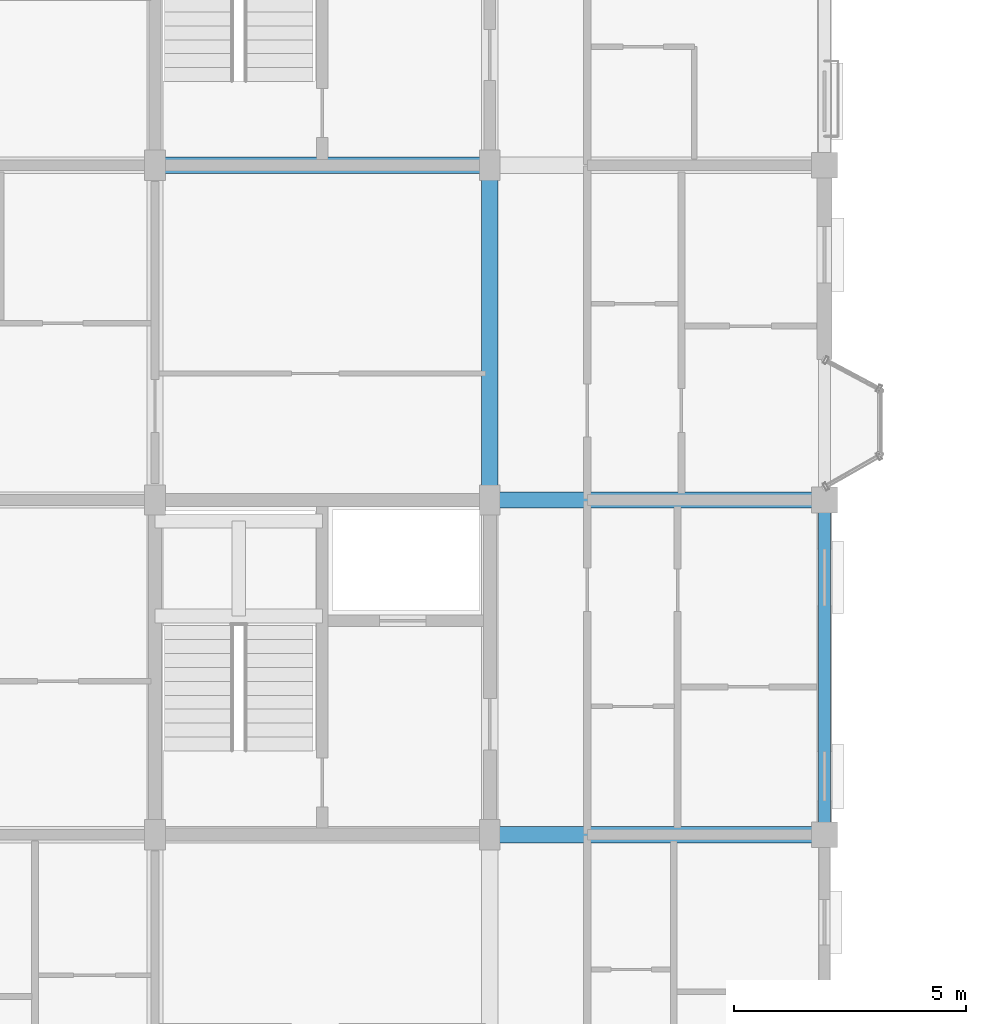
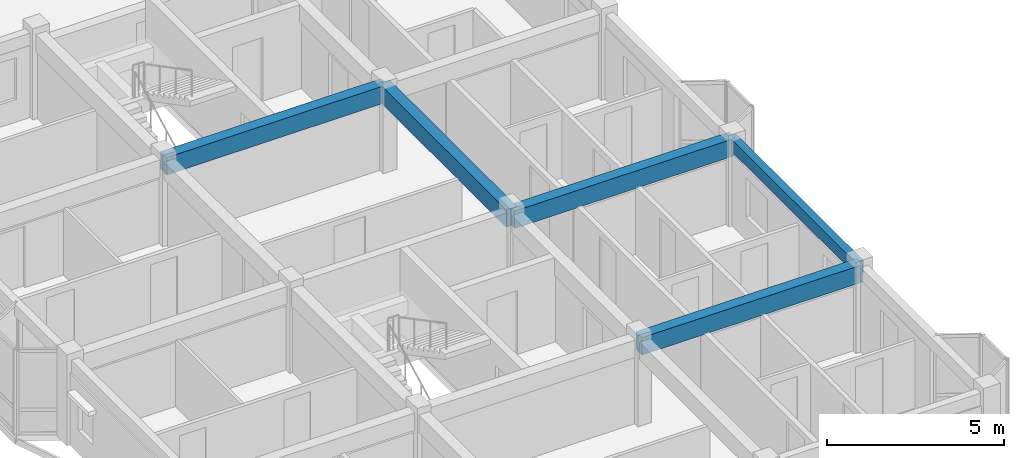
# One storey, part 18 of 75: 5 beams.
"""IFC4 building model written with IfcOpenShell, lengths in metres."""

from ifc_helpers import new_model, si_unit, direction, frame, origin, origin_2d, place, context, subcontext, project, spatial, rectangle, extrude, material, material_profile, profile_set, type_object, element, save


model = new_model("IFC4")

# Units and contexts
model_context = context("Model", 3, precision=1e-05, world=origin(), true_north=direction((0.0, 1.0)))
body_context = subcontext(model_context, "Body", "Model", "MODEL_VIEW")
ifc_project = project(units=[si_unit("LENGTHUNIT", "METRE"), si_unit("AREAUNIT", "SQUARE_METRE"), si_unit("VOLUMEUNIT", "CUBIC_METRE"), si_unit("PLANEANGLEUNIT", "RADIAN"), si_unit("MASSUNIT", "GRAM", prefix="KILO"), si_unit("THERMODYNAMICTEMPERATUREUNIT", "KELVIN"), si_unit("POWERUNIT", "WATT")], contexts=[model_context])

# Site, building, storey
site_placement = place(None, origin())
site = spatial("IfcSite", under=ifc_project, at=site_placement, CompositionType="ELEMENT")
building_placement = place(site_placement, origin())
building = spatial("IfcBuilding", under=site, at=building_placement, Name="Tavuni Mirador Residences", CompositionType="ELEMENT")
storey_placement = place(building_placement, frame((0.0, 0.0, 20.25)))
storey = spatial("IfcBuildingStorey", under=building, at=storey_placement, Name="L06", CompositionType="ELEMENT", Elevation=20.25)

# Beams
ifc_material = material(Name="Precast concrete C40/50", Category="concrete")
ifc_material_profile_1 = material_profile(ifc_material, rectangle(XDim=0.35009765625, YDim=0.60009765625, at=origin_2d()), Name="PC 350x600", Category="concrete")
ifc_profile_set_1 = profile_set([ifc_material_profile_1], Name="Precast concrete C40/50")
beam_type_1 = type_object("IfcBeamType", Name="BT-B600", PredefinedType="BEAM", material=ifc_profile_set_1)
for number, where, z_axis, x_axis, name in (
    (1, (18.0, 72.0, 2.610107421875), (1.0, 0.0, 0.0), (0.0, 1.0, 0.0), "BMX-BLK-B-L06-02-01"),
    (2, (18.0, 79.199951171875, 2.610107421875), (1.0, 0.0, 0.0), (0.0, 1.0, 0.0), "BMX-BLK-B-L06-02-02"),
    (3, (10.800048828125, 86.39990234375, 2.610107421875), (1.0, 0.0, 0.0), (0.0, 1.0, 0.0), "BMX-BLK-B-L06-01-03"),
    (4, (18.0, 79.199951171875, 2.610107421875), (0.0, 1.0, 0.0), (-1.0, 0.0, 0.0), "BMY-BLK-B-L06-02-02"),
):
    element("IfcBeam", number, at=place(storey_placement, frame(where, z_axis=z_axis, x_axis=x_axis)), inside=storey, type_object=beam_type_1, Name=name, PredefinedType="BEAM", context=body_context, shape_type="SweptSolid", body=[
        extrude(rectangle(XDim=0.35009765625, YDim=0.60009765625, at=origin_2d()), origin(), (0.0, 0.0, 1.0), 7.199951171875),
    ])
ifc_material_profile_2 = material_profile(ifc_material, rectangle(XDim=0.25, YDim=0.419921875, at=origin_2d()), Name="PC 250x420", Category="concrete")
ifc_profile_set_2 = profile_set([ifc_material_profile_2], Name="Precast concrete C40/50")
beam_type_2 = type_object("IfcBeamType", Name="BT-SP420", PredefinedType="SPANDREL", material=ifc_profile_set_2)
beam_placement = place(storey_placement, frame((25.199951171875, 72.0, 2.699951171875), z_axis=(0.0, 1.0, 0.0), x_axis=(-1.0, 0.0, 0.0)))
element("IfcBeam", 5, at=beam_placement, inside=storey, type_object=beam_type_2, Name="BMY-BLK-B-L06-03-01", PredefinedType="SPANDREL", context=body_context, shape_type="SweptSolid", body=[
    extrude(rectangle(XDim=0.25, YDim=0.419921875, at=origin_2d()), origin(), (0.0, 0.0, 1.0), 7.199951171875),
])

save(model, "model.ifc")
